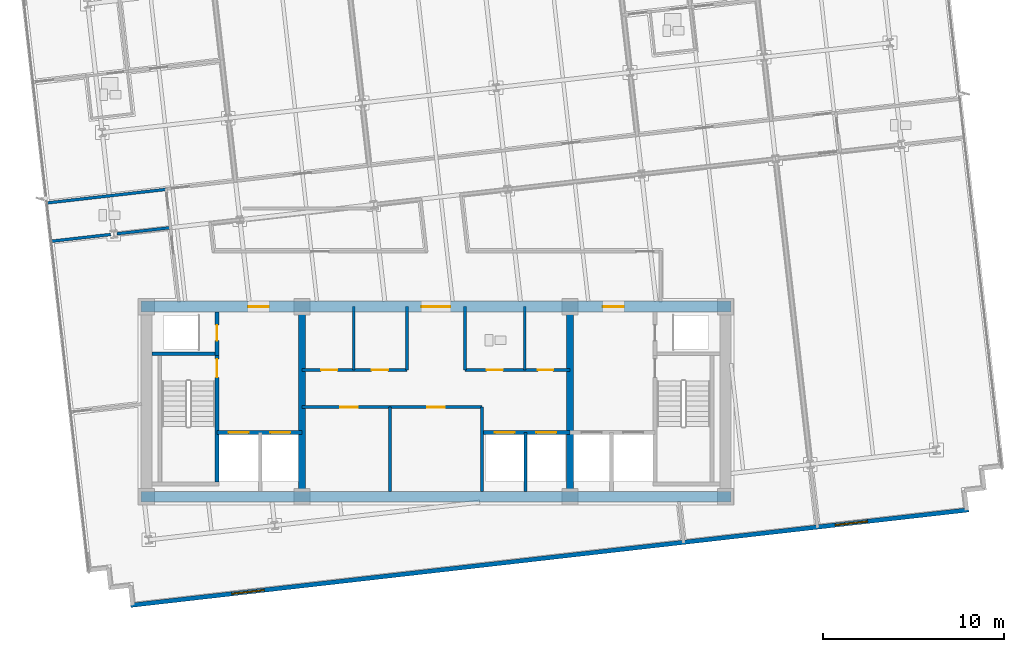
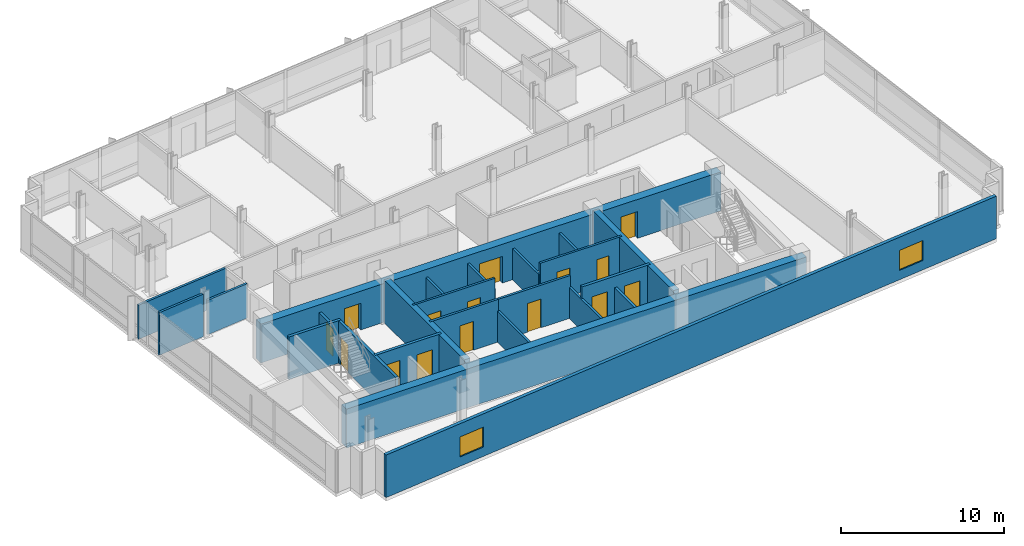
# One storey, part 8 of 15: 24 walls, 15 doors, 2 windows, 17 openings.
"""IFC4 building model written with IfcOpenShell, lengths in metres."""

from ifc_helpers import new_model, si_unit, direction, frame, frame_2d, origin, place, context, subcontext, project, spatial, rectangle, extrude, material, layer, layer_set, type_object, element, fill, save


model = new_model("IFC4")

# Units and contexts
model_context = context("Model", 3, precision=1e-05, world=origin(), true_north=direction((0.0, 1.0)))
body_context = subcontext(model_context, "Body", "Model", "MODEL_VIEW")
ifc_project = project(units=[si_unit("LENGTHUNIT", "METRE"), si_unit("AREAUNIT", "SQUARE_METRE"), si_unit("VOLUMEUNIT", "CUBIC_METRE"), si_unit("PLANEANGLEUNIT", "RADIAN"), si_unit("MASSUNIT", "GRAM", prefix="KILO")], contexts=[model_context])

# Site, building, storey
site_placement = place(None, origin())
site = spatial("IfcSite", under=ifc_project, at=site_placement, CompositionType="ELEMENT")
building_placement = place(site_placement, origin())
building = spatial("IfcBuilding", under=site, at=building_placement, Name="Solmavex Isthmus Hotel", CompositionType="ELEMENT")
storey_placement = place(building_placement, frame((0.0, 0.0, 226.199951171875)))
storey = spatial("IfcBuildingStorey", under=building, at=storey_placement, Name="L61", CompositionType="ELEMENT", Elevation=226.199951171875)

# Wall, openings, windows
ifc_material_1 = material(Name="Precast Concrete C40/50", Category="concrete")
ifc_layer_1 = layer(ifc_material_1, 0.25)
ifc_layer_set_1 = layer_set([ifc_layer_1], Name="Precast Concrete C40/50")
wall_type_1 = type_object("IfcWallType", Name="EW-TWR-250", PredefinedType="STANDARD", material=ifc_layer_set_1)
wall_1_placement = place(storey_placement, frame((-16.86962890625, -18.99951171875, 0.0), z_axis=(0.0, 0.0, 1.0), x_axis=(0.993571588328, 0.113205560228, 0.0)))
wall_1 = element("IfcWall", 1, at=wall_1_placement, inside=storey, type_object=wall_type_1, Name="Tower Rear South Facade Wall L61", PredefinedType="STANDARD", context=body_context, shape_type="SweptSolid", body=[
    extrude(rectangle(XDim=46.60009765625, YDim=0.239990234375, at=frame_2d((23.300048828125, 0.0))), origin(), (0.0, 0.0, 1.0), 3.18994140625),
])
opening_1_placement = place(wall_1_placement, frame((5.6240234375, 0.0, 0.699951171875)))
opening_1 = element("IfcOpeningElement", 2, at=opening_1_placement, cuts=wall_1, Name="Opening WN-02", PredefinedType="OPENING", context=body_context, shape_type="SweptSolid", body=[
    extrude(rectangle(XDim=1.800048828125, YDim=1.5, at=frame_2d((0.89990234375, 0.75))), frame((0.0, 0.1298828125, 0.0), z_axis=(0.0, -1.0, 0.0), x_axis=(1.0, 0.0, 0.0)), (0.0, 0.0, 1.0), 0.260009765625),
])
opening_2_placement = place(wall_1_placement, frame((39.176025390625, 0.0, 0.699951171875)))
opening_2 = element("IfcOpeningElement", 3, at=opening_2_placement, cuts=wall_1, Name="Opening WN-02", PredefinedType="OPENING", context=body_context, shape_type="SweptSolid", body=[
    extrude(rectangle(XDim=1.800048828125, YDim=1.5, at=frame_2d((0.89990234375, 0.75))), frame((0.0, 0.1298828125, 0.0), z_axis=(0.0, -1.0, 0.0), x_axis=(1.0, 0.0, 0.0)), (0.0, 0.0, 1.0), 0.260009765625),
])
ifc_material_2 = material(Name="Clear low-E laminated glass", Category="glass")
window_type = type_object("IfcWindowType", Name="WIN-TWR-1800", PartitioningType="SINGLE_PANEL", PredefinedType="WINDOW", material=ifc_material_2)
window_1_placement = place(opening_1_placement, origin())
window_1 = element("IfcWindow", 4, at=window_1_placement, inside=storey, type_object=window_type, Name="South Facade Vision Window L61-S1", OverallHeight=1.5, OverallWidth=1.800048828125, PartitioningType="SINGLE_PANEL", PredefinedType="WINDOW", context=body_context, shape_type="SweptSolid", body=[
    extrude(rectangle(XDim=1.800048828125, YDim=1.5, at=frame_2d((0.89990234375, 0.75))), frame((0.0, 0.030029296875, 0.0), z_axis=(0.0, -1.0, 0.0), x_axis=(1.0, 0.0, 0.0)), (0.0, 0.0, 1.0), 0.06005859375),
])
fill(opening_1, window_1)
window_2_placement = place(opening_2_placement, origin())
window_2 = element("IfcWindow", 5, at=window_2_placement, inside=storey, type_object=window_type, Name="South Facade Vision Window L61-S2", OverallHeight=1.5, OverallWidth=1.800048828125, PartitioningType="SINGLE_PANEL", PredefinedType="WINDOW", context=body_context, shape_type="SweptSolid", body=[
    extrude(rectangle(XDim=1.800048828125, YDim=1.5, at=frame_2d((0.89990234375, 0.75))), frame((0.0, 0.030029296875, 0.0), z_axis=(0.0, -1.0, 0.0), x_axis=(1.0, 0.0, 0.0)), (0.0, 0.0, 1.0), 0.06005859375),
])
fill(opening_2, window_2)

# Wall, opening, door
ifc_material_3 = material(Name="Gypsum plasterboard lining", Category="gypsum")
ifc_layer_2 = layer(ifc_material_3, 0.159912109375)
ifc_layer_set_2 = layer_set([ifc_layer_2], Name="Gypsum plasterboard lining")
wall_type_2 = type_object("IfcWallType", Name="IW-COMP-160", PredefinedType="PARTITIONING", material=ifc_layer_set_2)
wall_2_placement = place(storey_placement, frame((-7.39990234375, -8.050048828125, 0.0), z_axis=(0.0, 0.0, 1.0), x_axis=(1.0, 0.0, 0.0)))
wall_2 = element("IfcWall", 6, at=wall_2_placement, inside=storey, type_object=wall_type_2, Name="Interior Partition Wall W-L61-REC-PLL-N", PredefinedType="PARTITIONING", context=body_context, shape_type="SweptSolid", body=[
    extrude(rectangle(XDim=4.849853515625, YDim=0.159912109375, at=frame_2d((2.4248046875, 0.0))), origin(), (0.0, 0.0, 1.0), 3.18994140625),
])
opening_3_placement = place(wall_2_placement, frame((2.125, 0.0, 0.0)))
opening_3 = element("IfcOpeningElement", 7, at=opening_3_placement, cuts=wall_2, Name="Opening ID-C095", PredefinedType="OPENING", context=body_context, shape_type="SweptSolid", body=[
    extrude(rectangle(XDim=0.949951171875, YDim=2.14990234375, at=frame_2d((0.47509765625, 1.074951171875))), frame((0.0, 0.08984375, 0.0), z_axis=(0.0, -1.0, 0.0), x_axis=(1.0, 0.0, 0.0)), (0.0, 0.0, 1.0), 0.179931640625),
])
ifc_material_4 = material(Name="Hardwood timber", Category="wood")
door_type_1 = type_object("IfcDoorType", Name="IDR-FD60-0950", OperationType="NOTDEFINED", PredefinedType="DOOR", material=ifc_material_4)
door_1_placement = place(opening_3_placement, origin())
door_1 = element("IfcDoor", 8, at=door_1_placement, inside=storey, type_object=door_type_1, Name="Linen Reserve Door L61", OperationType="SINGLE_SWING_LEFT", OverallHeight=2.14990234375, OverallWidth=0.949951171875, PredefinedType="DOOR", context=body_context, shape_type="SweptSolid", body=[
    extrude(rectangle(XDim=0.949951171875, YDim=2.14990234375, at=frame_2d((0.47509765625, 1.074951171875))), frame((0.0, 0.02490234375, 0.0), z_axis=(0.0, -1.0, 0.0), x_axis=(1.0, 0.0, 0.0)), (0.0, 0.0, 1.0), 0.050048828125),
])
fill(opening_3, door_1)

# Wall
wall_3_placement = place(storey_placement, frame((-2.550048828125, -12.699951171875, 0.0), z_axis=(0.0, 0.0, 1.0), x_axis=(0.0, 1.0, 0.0)))
element("IfcWall", 9, at=wall_3_placement, inside=storey, type_object=wall_type_2, Name="Interior Partition Wall W-L61-REC-PLL-E", PredefinedType="PARTITIONING", context=body_context, shape_type="SweptSolid", body=[
    extrude(rectangle(XDim=4.64990234375, YDim=0.159912109375, at=frame_2d((2.324951171875, 0.0))), origin(), (0.0, 0.0, 1.0), 2.324951171875),
])

# Wall, opening, door
wall_4_placement = place(storey_placement, frame((-2.550048828125, -8.050048828125, 0.0), z_axis=(0.0, 0.0, 1.0), x_axis=(1.0, 0.0, 0.0)))
wall_4 = element("IfcWall", 10, at=wall_4_placement, inside=storey, type_object=wall_type_2, Name="Interior Partition Wall W-L61-REC-PLM-N", PredefinedType="PARTITIONING", context=body_context, shape_type="SweptSolid", body=[
    extrude(rectangle(XDim=5.10009765625, YDim=0.159912109375, at=frame_2d((2.550048828125, 0.0))), origin(), (0.0, 0.0, 1.0), 3.18994140625),
])
opening_4_placement = place(wall_4_placement, frame((2.074951171875, 0.0, 0.0)))
opening_4 = element("IfcOpeningElement", 11, at=opening_4_placement, cuts=wall_4, Name="Opening ID-C095", PredefinedType="OPENING", context=body_context, shape_type="SweptSolid", body=[
    extrude(rectangle(XDim=0.949951171875, YDim=2.14990234375, at=frame_2d((0.47509765625, 1.074951171875))), frame((0.0, 0.08984375, 0.0), z_axis=(0.0, -1.0, 0.0), x_axis=(1.0, 0.0, 0.0)), (0.0, 0.0, 1.0), 0.179931640625),
])
door_2_placement = place(opening_4_placement, origin())
door_2 = element("IfcDoor", 12, at=door_2_placement, inside=storey, type_object=door_type_1, Name="Butler Store Door L61", OperationType="SINGLE_SWING_RIGHT", OverallHeight=2.14990234375, OverallWidth=0.949951171875, PredefinedType="DOOR", context=body_context, shape_type="SweptSolid", body=[
    extrude(rectangle(XDim=0.949951171875, YDim=2.14990234375, at=frame_2d((0.47509765625, 1.074951171875))), frame((0.0, 0.02490234375, 0.0), z_axis=(0.0, -1.0, 0.0), x_axis=(1.0, 0.0, 0.0)), (0.0, 0.0, 1.0), 0.050048828125),
])
fill(opening_4, door_2)

# Walls
wall_5_placement = place(storey_placement, frame((2.550048828125, -12.699951171875, 0.0), z_axis=(0.0, 0.0, 1.0), x_axis=(0.0, 1.0, 0.0)))
element("IfcWall", 13, at=wall_5_placement, inside=storey, type_object=wall_type_2, Name="Interior Partition Wall W-L61-REC-PLM-E", PredefinedType="PARTITIONING", context=body_context, shape_type="SweptSolid", body=[
    extrude(rectangle(XDim=4.64990234375, YDim=0.159912109375, at=frame_2d((2.324951171875, 0.0))), origin(), (0.0, 0.0, 1.0), 2.324951171875),
])
wall_6_placement = place(storey_placement, frame((-14.86865234375, 3.98486328125, 0.0), z_axis=(0.0, 0.0, 1.0), x_axis=(-0.993568743641, -0.113230524415, 0.0)))
element("IfcWall", 14, at=wall_6_placement, inside=storey, type_object=wall_type_2, Name="Interior Partition Wall W-L61-P029", PredefinedType="PARTITIONING", context=body_context, shape_type="SweptSolid", body=[
    extrude(rectangle(XDim=6.7099609375, YDim=0.159912109375, at=frame_2d((3.35498046875, 0.0))), origin(), (0.0, 0.0, 1.0), 2.5576171875),
])
wall_7_placement = place(storey_placement, frame((-17.97216796875, 1.4873046875, 0.0), z_axis=(0.0, 0.0, 1.0), x_axis=(-0.993575433752, -0.113171804991, 0.0)))
element("IfcWall", 15, at=wall_7_placement, inside=storey, type_object=wall_type_2, Name="Interior Partition Wall W-L61-P053", PredefinedType="PARTITIONING", context=body_context, shape_type="SweptSolid", body=[
    extrude(rectangle(XDim=3.34375, YDim=0.159912109375, at=frame_2d((1.671875, 0.0))), origin(), (0.0, 0.0, 1.0), 3.18994140625),
])
wall_8_placement = place(storey_placement, frame((-14.62744140625, 1.868408203125, 0.0), z_axis=(0.0, 0.0, 1.0), x_axis=(-0.993574646464, -0.113178716659, 0.0)))
element("IfcWall", 16, at=wall_8_placement, inside=storey, type_object=wall_type_2, Name="Interior Partition Wall W-L61-P054", PredefinedType="PARTITIONING", context=body_context, shape_type="SweptSolid", body=[
    extrude(rectangle(XDim=3.013427734375, YDim=0.159912109375, at=frame_2d((1.5068359375, 0.0))), origin(), (0.0, 0.0, 1.0), 2.572265625),
])

# Wall, openings, doors
ifc_layer_3 = layer(ifc_material_3, 0.14990234375)
ifc_layer_set_3 = layer_set([ifc_layer_3], Name="Gypsum plasterboard lining")
wall_type_3 = type_object("IfcWallType", Name="IW-CORR-150", PredefinedType="PARTITIONING", material=ifc_layer_set_3)
wall_9_placement = place(storey_placement, frame((-7.39990234375, -6.0, 0.0), z_axis=(0.0, 0.0, 1.0), x_axis=(1.0, 0.0, 0.0)))
wall_9 = element("IfcWall", 17, at=wall_9_placement, inside=storey, type_object=wall_type_3, Name="Interior Partition Wall W-L61-BOH-WS", PredefinedType="PARTITIONING", context=body_context, shape_type="SweptSolid", body=[
    extrude(rectangle(XDim=5.7998046875, YDim=0.14990234375, at=frame_2d((2.89990234375, 0.0))), origin(), (0.0, 0.0, 1.0), 3.18994140625),
])
opening_5_placement = place(wall_9_placement, frame((1.050048828125, 0.0, 0.0)))
opening_5 = element("IfcOpeningElement", 18, at=opening_5_placement, cuts=wall_9, Name="Opening ID-C090", PredefinedType="OPENING", context=body_context, shape_type="SweptSolid", body=[
    extrude(rectangle(XDim=0.89990234375, YDim=2.10009765625, at=frame_2d((0.449951171875, 1.050048828125))), frame((0.0, 0.0849609375, 0.0), z_axis=(0.0, -1.0, 0.0), x_axis=(1.0, 0.0, 0.0)), (0.0, 0.0, 1.0), 0.169921875),
])
opening_6_placement = place(wall_9_placement, frame((3.85009765625, 0.0, 0.0)))
opening_6 = element("IfcOpeningElement", 19, at=opening_6_placement, cuts=wall_9, Name="Opening ID-C090", PredefinedType="OPENING", context=body_context, shape_type="SweptSolid", body=[
    extrude(rectangle(XDim=0.89990234375, YDim=2.10009765625, at=frame_2d((0.449951171875, 1.050048828125))), frame((0.0, 0.0849609375, 0.0), z_axis=(0.0, -1.0, 0.0), x_axis=(1.0, 0.0, 0.0)), (0.0, 0.0, 1.0), 0.169921875),
])
door_type_2 = type_object("IfcDoorType", Name="IDR-FD60-0900", OperationType="NOTDEFINED", PredefinedType="DOOR", material=ifc_material_4)
door_3_placement = place(opening_5_placement, frame((0.89990234375, 0.0, 0.0), z_axis=(0.0, 0.0, 1.0), x_axis=(-1.0, 0.0, 0.0)))
door_3 = element("IfcDoor", 20, at=door_3_placement, inside=storey, type_object=door_type_2, Name="Linen Room Door L61", OperationType="SINGLE_SWING_LEFT", OverallHeight=2.10009765625, OverallWidth=0.89990234375, PredefinedType="DOOR", context=body_context, shape_type="SweptSolid", body=[
    extrude(rectangle(XDim=0.89990234375, YDim=2.10009765625, at=frame_2d((0.449951171875, 1.050048828125))), frame((0.0, 0.02490234375, 0.0), z_axis=(0.0, -1.0, 0.0), x_axis=(1.0, 0.0, 0.0)), (0.0, 0.0, 1.0), 0.050048828125),
])
fill(opening_5, door_3)
door_4_placement = place(opening_6_placement, frame((0.89990234375, 0.0, 0.0), z_axis=(0.0, 0.0, 1.0), x_axis=(-1.0, 0.0, 0.0)))
door_4 = element("IfcDoor", 21, at=door_4_placement, inside=storey, type_object=door_type_2, Name="Ice Pantry Door L61", OperationType="SINGLE_SWING_RIGHT", OverallHeight=2.10009765625, OverallWidth=0.89990234375, PredefinedType="DOOR", context=body_context, shape_type="SweptSolid", body=[
    extrude(rectangle(XDim=0.89990234375, YDim=2.10009765625, at=frame_2d((0.449951171875, 1.050048828125))), frame((0.0, 0.02490234375, 0.0), z_axis=(0.0, -1.0, 0.0), x_axis=(1.0, 0.0, 0.0)), (0.0, 0.0, 1.0), 0.050048828125),
])
fill(opening_6, door_4)

# Wall
wall_10_placement = place(storey_placement, frame((-1.60009765625, -6.0, 0.0), z_axis=(0.0, 0.0, 1.0), x_axis=(0.0, 1.0, 0.0)))
element("IfcWall", 22, at=wall_10_placement, inside=storey, type_object=wall_type_3, Name="Interior Partition Wall W-L61-BOH-WE", PredefinedType="PARTITIONING", context=body_context, shape_type="SweptSolid", body=[
    extrude(rectangle(XDim=3.5, YDim=0.14990234375, at=frame_2d((1.75, 0.0))), origin(), (0.0, 0.0, 1.0), 2.324951171875),
])

# Wall, openings, doors
wall_11_placement = place(storey_placement, frame((1.60009765625, -6.0, 0.0), z_axis=(0.0, 0.0, 1.0), x_axis=(1.0, 0.0, 0.0)))
wall_11 = element("IfcWall", 23, at=wall_11_placement, inside=storey, type_object=wall_type_3, Name="Interior Partition Wall W-L61-BOH-ES", PredefinedType="PARTITIONING", context=body_context, shape_type="SweptSolid", body=[
    extrude(rectangle(XDim=5.7998046875, YDim=0.14990234375, at=frame_2d((2.89990234375, 0.0))), origin(), (0.0, 0.0, 1.0), 3.18994140625),
])
opening_7_placement = place(wall_11_placement, frame((1.199951171875, 0.0, 0.0)))
opening_7 = element("IfcOpeningElement", 24, at=opening_7_placement, cuts=wall_11, Name="Opening ID-C090", PredefinedType="OPENING", context=body_context, shape_type="SweptSolid", body=[
    extrude(rectangle(XDim=0.89990234375, YDim=2.10009765625, at=frame_2d((0.449951171875, 1.050048828125))), frame((0.0, 0.0849609375, 0.0), z_axis=(0.0, -1.0, 0.0), x_axis=(1.0, 0.0, 0.0)), (0.0, 0.0, 1.0), 0.169921875),
])
opening_8_placement = place(wall_11_placement, frame((4.02490234375, 0.0, 0.0)))
opening_8 = element("IfcOpeningElement", 25, at=opening_8_placement, cuts=wall_11, Name="Opening ID-R085", PredefinedType="OPENING", context=body_context, shape_type="SweptSolid", body=[
    extrude(rectangle(XDim=0.85009765625, YDim=2.050048828125, at=frame_2d((0.425048828125, 1.02490234375))), frame((0.0, 0.0849609375, 0.0), z_axis=(0.0, -1.0, 0.0), x_axis=(1.0, 0.0, 0.0)), (0.0, 0.0, 1.0), 0.169921875),
])
ifc_material_5 = material(Name="Steel ASTM A500 Grade C", Category="steel")
door_type_3 = type_object("IfcDoorType", Name="IDR-FD60-0850", OperationType="NOTDEFINED", PredefinedType="DOOR", material=ifc_material_5)
door_5_placement = place(opening_8_placement, frame((0.85009765625, 0.0, 0.0), z_axis=(0.0, 0.0, 1.0), x_axis=(-1.0, 0.0, 0.0)))
door_5 = element("IfcDoor", 26, at=door_5_placement, inside=storey, type_object=door_type_3, Name="IT Room Door L61", OperationType="SINGLE_SWING_RIGHT", OverallHeight=2.050048828125, OverallWidth=0.85009765625, PredefinedType="DOOR", context=body_context, shape_type="SweptSolid", body=[
    extrude(rectangle(XDim=0.85009765625, YDim=2.050048828125, at=frame_2d((0.425048828125, 1.02490234375))), frame((0.0, 0.02490234375, 0.0), z_axis=(0.0, -1.0, 0.0), x_axis=(1.0, 0.0, 0.0)), (0.0, 0.0, 1.0), 0.050048828125),
])
fill(opening_8, door_5)
door_6_placement = place(opening_7_placement, frame((0.89990234375, 0.0, 0.0), z_axis=(0.0, 0.0, 1.0), x_axis=(-1.0, 0.0, 0.0)))
door_6 = element("IfcDoor", 27, at=door_6_placement, inside=storey, type_object=door_type_2, Name="Staff Restroom Door L61", OperationType="SINGLE_SWING_LEFT", OverallHeight=2.10009765625, OverallWidth=0.89990234375, PredefinedType="DOOR", context=body_context, shape_type="SweptSolid", body=[
    extrude(rectangle(XDim=0.89990234375, YDim=2.10009765625, at=frame_2d((0.449951171875, 1.050048828125))), frame((0.0, 0.02490234375, 0.0), z_axis=(0.0, -1.0, 0.0), x_axis=(1.0, 0.0, 0.0)), (0.0, 0.0, 1.0), 0.050048828125),
])
fill(opening_7, door_6)

# Walls
wall_12_placement = place(storey_placement, frame((1.60009765625, -6.0, 0.0), z_axis=(0.0, 0.0, 1.0), x_axis=(0.0, 1.0, 0.0)))
element("IfcWall", 28, at=wall_12_placement, inside=storey, type_object=wall_type_3, Name="Interior Partition Wall W-L61-BOH-EW", PredefinedType="PARTITIONING", context=body_context, shape_type="SweptSolid", body=[
    extrude(rectangle(XDim=3.5, YDim=0.14990234375, at=frame_2d((1.75, 0.0))), origin(), (0.0, 0.0, 1.0), 2.324951171875),
])
ifc_layer_4 = layer(ifc_material_3, 0.1201171875)
ifc_layer_set_4 = layer_set([ifc_layer_4], Name="Gypsum plasterboard lining")
wall_type_4 = type_object("IfcWallType", Name="IW-PART-120", PredefinedType="PARTITIONING", material=ifc_layer_set_4)
for number, where, z_axis, x_axis, name in (
    (29, (-4.550048828125, -6.0, 0.0), (0.0, 0.0, 1.0), (0.0, 1.0, 0.0), "Interior Partition Wall W-L61-BOH-WM2"),
    (30, (4.89990234375, -6.0, 0.0), (0.0, 0.0, 1.0), (0.0, 1.0, 0.0), "Interior Partition Wall W-L61-BOH-EM2"),
):
    element("IfcWall", number, at=place(storey_placement, frame(where, z_axis=z_axis, x_axis=x_axis)), inside=storey, type_object=wall_type_4, Name=name, PredefinedType="PARTITIONING", context=body_context, shape_type="SweptSolid", body=[
        extrude(rectangle(XDim=3.5, YDim=0.14990234375, at=frame_2d((1.75, 0.0))), origin(), (0.0, 0.0, 1.0), 2.324951171875),
    ])
ifc_material_6 = material(Name="Concrete C40/50", Category="concrete")
ifc_layer_5 = layer(ifc_material_6, 0.179931640625)
ifc_layer_set_5 = layer_set([ifc_layer_5], Name="Concrete C40/50")
wall_type_5 = type_object("IfcWallType", Name="IW-SHAFT-180", PredefinedType="PARTITIONING", material=ifc_layer_set_5)
wall_13_placement = place(storey_placement, frame((4.949951171875, -12.699951171875, 0.0), z_axis=(0.0, 0.0, 1.0), x_axis=(0.0, 1.0, 0.0)))
element("IfcWall", 31, at=wall_13_placement, inside=storey, type_object=wall_type_5, Name="Interior Partition Wall W-L61-SH-PLH-M", PredefinedType="PARTITIONING", context=body_context, shape_type="SweptSolid", body=[
    extrude(rectangle(XDim=3.25, YDim=0.179931640625, at=frame_2d((1.625, 0.0))), origin(), (0.0, 0.0, 1.0), 2.324951171875),
])

# Wall, opening, door
ifc_layer_6 = layer(ifc_material_6, 0.199951171875)
ifc_layer_set_6 = layer_set([ifc_layer_6], Name="Concrete C40/50")
wall_type_6 = type_object("IfcWallType", Name="IW-SHAFT-200", PredefinedType="PARTITIONING", material=ifc_layer_set_6)
wall_14_placement = place(storey_placement, frame((-12.10009765625, -5.199951171875, 0.0), z_axis=(0.0, 0.0, 1.0), x_axis=(0.0, 1.0, 0.0)))
wall_14 = element("IfcWall", 32, at=wall_14_placement, inside=storey, type_object=wall_type_6, Name="Interior Partition Wall W-L61-RSW-E", PredefinedType="PARTITIONING", context=body_context, shape_type="SweptSolid", body=[
    extrude(rectangle(XDim=2.39990234375, YDim=0.199951171875, at=frame_2d((1.199951171875, 0.0))), origin(), (0.0, 0.0, 1.0), 2.324951171875),
])
opening_9_placement = place(wall_14_placement, frame((0.824951171875, 0.0, 0.0)))
opening_9 = element("IfcOpeningElement", 33, at=opening_9_placement, cuts=wall_14, Name="Opening ID-R085", PredefinedType="OPENING", context=body_context, shape_type="SweptSolid", body=[
    extrude(rectangle(XDim=0.85009765625, YDim=2.050048828125, at=frame_2d((0.425048828125, 1.02490234375))), frame((0.0, 0.10986328125, 0.0), z_axis=(0.0, -1.0, 0.0), x_axis=(1.0, 0.0, 0.0)), (0.0, 0.0, 1.0), 0.219970703125),
])
door_7_placement = place(opening_9_placement, origin())
door_7 = element("IfcDoor", 34, at=door_7_placement, inside=storey, type_object=door_type_3, Name="Electrical Riser Door L61", OperationType="SINGLE_SWING_RIGHT", OverallHeight=2.050048828125, OverallWidth=0.85009765625, PredefinedType="DOOR", context=body_context, shape_type="SweptSolid", body=[
    extrude(rectangle(XDim=0.85009765625, YDim=2.050048828125, at=frame_2d((0.425048828125, 1.02490234375))), frame((0.0, 0.02490234375, 0.0), z_axis=(0.0, -1.0, 0.0), x_axis=(1.0, 0.0, 0.0)), (0.0, 0.0, 1.0), 0.050048828125),
])
fill(opening_9, door_7)

# Wall, openings, doors
wall_15_placement = place(storey_placement, frame((-12.10009765625, -9.449951171875, 0.0), z_axis=(0.0, 0.0, 1.0), x_axis=(1.0, 0.0, 0.0)))
wall_15 = element("IfcWall", 35, at=wall_15_placement, inside=storey, type_object=wall_type_6, Name="Interior Partition Wall W-L61-FFLW-S", PredefinedType="PARTITIONING", context=body_context, shape_type="SweptSolid", body=[
    extrude(rectangle(XDim=4.7001953125, YDim=0.199951171875, at=frame_2d((2.35009765625, 0.0))), origin(), (0.0, 0.0, 1.0), 3.18994140625),
])
opening_10_placement = place(wall_15_placement, frame((0.64990234375, 0.0, 0.0)))
opening_10 = element("IfcOpeningElement", 36, at=opening_10_placement, cuts=wall_15, Name="Opening LD-FF", PredefinedType="OPENING", context=body_context, shape_type="SweptSolid", body=[
    extrude(rectangle(XDim=1.10009765625, YDim=2.199951171875, at=frame_2d((0.550048828125, 1.10009765625))), frame((0.0, 0.10986328125, 0.0), z_axis=(0.0, -1.0, 0.0), x_axis=(1.0, 0.0, 0.0)), (0.0, 0.0, 1.0), 0.219970703125),
])
opening_11_placement = place(wall_15_placement, frame((2.949951171875, 0.0, 0.0)))
opening_11 = element("IfcOpeningElement", 37, at=opening_11_placement, cuts=wall_15, Name="Opening LD-SV", PredefinedType="OPENING", context=body_context, shape_type="SweptSolid", body=[
    extrude(rectangle(XDim=1.10009765625, YDim=2.199951171875, at=frame_2d((0.550048828125, 1.10009765625))), frame((0.0, 0.10986328125, 0.0), z_axis=(0.0, -1.0, 0.0), x_axis=(1.0, 0.0, 0.0)), (0.0, 0.0, 1.0), 0.219970703125),
])
ifc_material_7 = material(Name="Stainless steel 316", Category="steel")
door_type_4 = type_object("IfcDoorType", Name="LDR-FF-1100", OperationType="NOTDEFINED", PredefinedType="DOOR", material=ifc_material_7)
door_8_placement = place(opening_10_placement, origin())
door_8 = element("IfcDoor", 38, at=door_8_placement, inside=storey, type_object=door_type_4, Name="Lift Landing Door FFL-1 L61", OperationType="SLIDING_TO_LEFT", OverallHeight=2.199951171875, OverallWidth=1.10009765625, PredefinedType="DOOR", context=body_context, shape_type="SweptSolid", body=[
    extrude(rectangle(XDim=1.10009765625, YDim=2.199951171875, at=frame_2d((0.550048828125, 1.10009765625))), frame((0.0, 0.02490234375, 0.0), z_axis=(0.0, -1.0, 0.0), x_axis=(1.0, 0.0, 0.0)), (0.0, 0.0, 1.0), 0.050048828125),
])
fill(opening_10, door_8)
door_type_5 = type_object("IfcDoorType", Name="LDR-SV-1100", OperationType="NOTDEFINED", PredefinedType="DOOR", material=ifc_material_7)
door_9_placement = place(opening_11_placement, origin())
door_9 = element("IfcDoor", 39, at=door_9_placement, inside=storey, type_object=door_type_5, Name="Lift Landing Door SVL-1 L61", OperationType="SLIDING_TO_RIGHT", OverallHeight=2.199951171875, OverallWidth=1.10009765625, PredefinedType="DOOR", context=body_context, shape_type="SweptSolid", body=[
    extrude(rectangle(XDim=1.10009765625, YDim=2.199951171875, at=frame_2d((0.550048828125, 1.10009765625))), frame((0.0, 0.02490234375, 0.0), z_axis=(0.0, -1.0, 0.0), x_axis=(1.0, 0.0, 0.0)), (0.0, 0.0, 1.0), 0.050048828125),
])
fill(opening_11, door_9)

wall_16_placement = place(storey_placement, frame((2.550048828125, -9.449951171875, 0.0), z_axis=(0.0, 0.0, 1.0), x_axis=(1.0, 0.0, 0.0)))
wall_16 = element("IfcWall", 40, at=wall_16_placement, inside=storey, type_object=wall_type_6, Name="Interior Partition Wall W-L61-SH-PLH", PredefinedType="PARTITIONING", context=body_context, shape_type="SweptSolid", body=[
    extrude(rectangle(XDim=4.849853515625, YDim=0.199951171875, at=frame_2d((2.4248046875, 0.0))), origin(), (0.0, 0.0, 1.0), 3.18994140625),
])
opening_12_placement = place(wall_16_placement, frame((0.699951171875, 0.0, 0.0)))
opening_12 = element("IfcOpeningElement", 41, at=opening_12_placement, cuts=wall_16, Name="Opening LD-PL", PredefinedType="OPENING", context=body_context, shape_type="SweptSolid", body=[
    extrude(rectangle(XDim=1.10009765625, YDim=2.199951171875, at=frame_2d((0.550048828125, 1.10009765625))), frame((0.0, 0.10986328125, 0.0), z_axis=(0.0, -1.0, 0.0), x_axis=(1.0, 0.0, 0.0)), (0.0, 0.0, 1.0), 0.219970703125),
])
opening_13_placement = place(wall_16_placement, frame((3.0, 0.0, 0.0)))
opening_13 = element("IfcOpeningElement", 42, at=opening_13_placement, cuts=wall_16, Name="Opening LD-PL", PredefinedType="OPENING", context=body_context, shape_type="SweptSolid", body=[
    extrude(rectangle(XDim=1.10009765625, YDim=2.199951171875, at=frame_2d((0.550048828125, 1.10009765625))), frame((0.0, 0.10986328125, 0.0), z_axis=(0.0, -1.0, 0.0), x_axis=(1.0, 0.0, 0.0)), (0.0, 0.0, 1.0), 0.219970703125),
])
door_type_6 = type_object("IfcDoorType", Name="LDR-PL-1100", OperationType="NOTDEFINED", PredefinedType="DOOR", material=ifc_material_7)
door_10_placement = place(opening_12_placement, origin())
door_10 = element("IfcDoor", 43, at=door_10_placement, inside=storey, type_object=door_type_6, Name="Lift Landing Door PLH1 L61", OperationType="SLIDING_TO_LEFT", OverallHeight=2.199951171875, OverallWidth=1.10009765625, PredefinedType="DOOR", context=body_context, shape_type="SweptSolid", body=[
    extrude(rectangle(XDim=1.10009765625, YDim=2.199951171875, at=frame_2d((0.550048828125, 1.10009765625))), frame((0.0, 0.02490234375, 0.0), z_axis=(0.0, -1.0, 0.0), x_axis=(1.0, 0.0, 0.0)), (0.0, 0.0, 1.0), 0.050048828125),
])
fill(opening_12, door_10)
door_11_placement = place(opening_13_placement, origin())
door_11 = element("IfcDoor", 44, at=door_11_placement, inside=storey, type_object=door_type_6, Name="Lift Landing Door PLH2 L61", OperationType="SLIDING_TO_LEFT", OverallHeight=2.199951171875, OverallWidth=1.10009765625, PredefinedType="DOOR", context=body_context, shape_type="SweptSolid", body=[
    extrude(rectangle(XDim=1.10009765625, YDim=2.199951171875, at=frame_2d((0.550048828125, 1.10009765625))), frame((0.0, 0.02490234375, 0.0), z_axis=(0.0, -1.0, 0.0), x_axis=(1.0, 0.0, 0.0)), (0.0, 0.0, 1.0), 0.050048828125),
])
fill(opening_13, door_11)

# Walls
ifc_material_8 = material(Name="Concrete C50/60", Category="concrete")
ifc_layer_7 = layer(ifc_material_8, 0.39990234375)
ifc_layer_set_7 = layer_set([ifc_layer_7], Name="Concrete C50/60")
wall_type_7 = type_object("IfcWallType", Name="WALL-CW-400H", PredefinedType="SHEAR", material=ifc_layer_set_7)
for number, where, z_axis, x_axis, name in (
    (45, (-7.39990234375, -12.699951171875, 0.0), (0.0, 0.0, 1.0), (0.0, 1.0, 0.0), "Core Cross Shear Wall C1 L61"),
    (46, (7.39990234375, -12.699951171875, 0.0), (0.0, 0.0, 1.0), (0.0, 1.0, 0.0), "Core Cross Shear Wall C2 L61"),
):
    element("IfcWall", number, at=place(storey_placement, frame(where, z_axis=z_axis, x_axis=x_axis)), inside=storey, type_object=wall_type_7, Name=name, PredefinedType="SHEAR", context=body_context, shape_type="SweptSolid", body=[
        extrude(rectangle(XDim=9.89990234375, YDim=0.39990234375, at=frame_2d((4.949951171875, 0.0))), origin(), (0.0, 0.0, 1.0), 3.18994140625),
    ])
ifc_layer_8 = layer(ifc_material_8, 0.60009765625)
ifc_layer_set_8 = layer_set([ifc_layer_8], Name="Concrete C50/60")
wall_type_8 = type_object("IfcWallType", Name="WALL-CW-600", PredefinedType="SHEAR", material=ifc_layer_set_8)
wall_17_placement = place(storey_placement, frame((-16.300048828125, -13.0, 0.0), z_axis=(0.0, 0.0, 1.0), x_axis=(1.0, 0.0, 0.0)))
element("IfcWall", 47, at=wall_17_placement, inside=storey, type_object=wall_type_8, Name="Core Shear Wall South L61", PredefinedType="SHEAR", context=body_context, shape_type="SweptSolid", body=[
    extrude(rectangle(XDim=32.60009765625, YDim=0.60009765625, at=frame_2d((16.300048828125, 0.0))), origin(), (0.0, 0.0, 1.0), 2.91015625),
])

# Wall, openings, doors
wall_18_placement = place(storey_placement, frame((-16.300048828125, -2.5, 0.0), z_axis=(0.0, 0.0, 1.0), x_axis=(1.0, 0.0, 0.0)))
wall_18 = element("IfcWall", 48, at=wall_18_placement, inside=storey, type_object=wall_type_8, Name="Core Shear Wall North L61", PredefinedType="SHEAR", context=body_context, shape_type="SweptSolid", body=[
    extrude(rectangle(XDim=32.60009765625, YDim=0.60009765625, at=frame_2d((16.300048828125, 0.0))), origin(), (0.0, 0.0, 1.0), 2.91015625),
])
opening_14_placement = place(wall_18_placement, frame((5.925048828125, 0.0, 0.0)))
opening_14 = element("IfcOpeningElement", 49, at=opening_14_placement, cuts=wall_18, Name="Opening ID-F915", PredefinedType="OPENING", context=body_context, shape_type="SweptSolid", body=[
    extrude(rectangle(XDim=1.14990234375, YDim=2.0, at=frame_2d((0.574951171875, 1.0))), frame((0.0, 0.31005859375, 0.0), z_axis=(0.0, -1.0, 0.0), x_axis=(1.0, 0.0, 0.0)), (0.0, 0.0, 1.0), 0.6201171875),
])
opening_15_placement = place(wall_18_placement, frame((15.5, 0.0, 0.0)))
opening_15 = element("IfcOpeningElement", 50, at=opening_15_placement, cuts=wall_18, Name="Opening ID-F960", PredefinedType="OPENING", context=body_context, shape_type="SweptSolid", body=[
    extrude(rectangle(XDim=1.60009765625, YDim=2.0, at=frame_2d((0.800048828125, 1.0))), frame((0.0, 0.31005859375, 0.0), z_axis=(0.0, -1.0, 0.0), x_axis=(1.0, 0.0, 0.0)), (0.0, 0.0, 1.0), 0.6201171875),
])
opening_16_placement = place(wall_18_placement, frame((25.52490234375, 0.0, 0.0)))
opening_16 = element("IfcOpeningElement", 51, at=opening_16_placement, cuts=wall_18, Name="Opening ID-F915", PredefinedType="OPENING", context=body_context, shape_type="SweptSolid", body=[
    extrude(rectangle(XDim=1.14990234375, YDim=2.0, at=frame_2d((0.574951171875, 1.0))), frame((0.0, 0.31005859375, 0.0), z_axis=(0.0, -1.0, 0.0), x_axis=(1.0, 0.0, 0.0)), (0.0, 0.0, 1.0), 0.6201171875),
])
door_type_7 = type_object("IfcDoorType", Name="IDR-FD90-1150C", OperationType="NOTDEFINED", PredefinedType="DOOR", material=ifc_material_5)
door_12_placement = place(opening_14_placement, origin())
door_12 = element("IfcDoor", 52, at=door_12_placement, inside=storey, type_object=door_type_7, Name="Firefighting Lobby West Exit Door L61", OperationType="SINGLE_SWING_LEFT", OverallHeight=2.0, OverallWidth=1.14990234375, PredefinedType="DOOR", context=body_context, shape_type="SweptSolid", body=[
    extrude(rectangle(XDim=1.14990234375, YDim=2.0, at=frame_2d((0.574951171875, 1.0))), frame((0.0, 0.02490234375, 0.0), z_axis=(0.0, -1.0, 0.0), x_axis=(1.0, 0.0, 0.0)), (0.0, 0.0, 1.0), 0.050048828125),
])
fill(opening_14, door_12)
door_13_placement = place(opening_16_placement, origin())
door_13 = element("IfcDoor", 53, at=door_13_placement, inside=storey, type_object=door_type_7, Name="Firefighting Lobby East Exit Door L61", OperationType="SINGLE_SWING_RIGHT", OverallHeight=2.0, OverallWidth=1.14990234375, PredefinedType="DOOR", context=body_context, shape_type="SweptSolid", body=[
    extrude(rectangle(XDim=1.14990234375, YDim=2.0, at=frame_2d((0.574951171875, 1.0))), frame((0.0, 0.02490234375, 0.0), z_axis=(0.0, -1.0, 0.0), x_axis=(1.0, 0.0, 0.0)), (0.0, 0.0, 1.0), 0.050048828125),
])
fill(opening_16, door_13)
door_type_8 = type_object("IfcDoorType", Name="IDR-FD90-1600C", OperationType="NOTDEFINED", PredefinedType="DOOR", material=ifc_material_5)
door_14_placement = place(opening_15_placement, origin())
door_14 = element("IfcDoor", 54, at=door_14_placement, inside=storey, type_object=door_type_8, Name="Central Lift Lobby Door L61", OperationType="DOUBLE_DOOR_SINGLE_SWING", OverallHeight=2.0, OverallWidth=1.60009765625, PredefinedType="DOOR", context=body_context, shape_type="SweptSolid", body=[
    extrude(rectangle(XDim=1.60009765625, YDim=2.0, at=frame_2d((0.800048828125, 1.0))), frame((0.0, 0.02490234375, 0.0), z_axis=(0.0, -1.0, 0.0), x_axis=(1.0, 0.0, 0.0)), (0.0, 0.0, 1.0), 0.050048828125),
])
fill(opening_15, door_14)

# Wall
ifc_layer_9 = layer(ifc_material_6, 0.199951171875)
ifc_layer_set_9 = layer_set([ifc_layer_9], Name="Concrete C40/50")
wall_type_9 = type_object("IfcWallType", Name="WALL-SW-200", PredefinedType="SOLIDWALL", material=ifc_layer_set_9)
wall_19_placement = place(storey_placement, frame((-15.699951171875, -5.10009765625, 0.0), z_axis=(0.0, 0.0, 1.0), x_axis=(1.0, 0.0, 0.0)))
element("IfcWall", 55, at=wall_19_placement, inside=storey, type_object=wall_type_9, Name="Stairwell Structural Wall SW-L61-ST1-N", PredefinedType="SOLIDWALL", context=body_context, shape_type="SweptSolid", body=[
    extrude(rectangle(XDim=3.699951171875, YDim=0.199951171875, at=frame_2d((1.85009765625, 0.0))), origin(), (0.0, 0.0, 1.0), 3.18994140625),
])

# Wall, opening, door
wall_20_placement = place(storey_placement, frame((-12.10009765625, -12.199951171875, 0.0), z_axis=(0.0, 0.0, 1.0), x_axis=(0.0, 1.0, 0.0)))
wall_20 = element("IfcWall", 56, at=wall_20_placement, inside=storey, type_object=wall_type_9, Name="Stairwell Structural Wall SW-L61-ST1-E", PredefinedType="SOLIDWALL", context=body_context, shape_type="SweptSolid", body=[
    extrude(rectangle(XDim=7.0, YDim=0.199951171875, at=frame_2d((3.5, 0.0))), origin(), (0.0, 0.0, 1.0), 3.18994140625),
])
opening_17_placement = place(wall_20_placement, frame((5.800048828125, 0.0, 0.0)))
opening_17 = element("IfcOpeningElement", 57, at=opening_17_placement, cuts=wall_20, Name="Opening ID-F100", PredefinedType="OPENING", context=body_context, shape_type="SweptSolid", body=[
    extrude(rectangle(XDim=1.0, YDim=2.10009765625, at=frame_2d((0.5, 1.050048828125))), frame((0.0, 0.10986328125, 0.0), z_axis=(0.0, -1.0, 0.0), x_axis=(1.0, 0.0, 0.0)), (0.0, 0.0, 1.0), 0.219970703125),
])
door_type_9 = type_object("IfcDoorType", Name="IDR-FD90-1000", OperationType="NOTDEFINED", PredefinedType="DOOR", material=ifc_material_5)
door_15_placement = place(opening_17_placement, frame((1.0, 0.0, 0.0), z_axis=(0.0, 0.0, 1.0), x_axis=(-1.0, 0.0, 0.0)))
door_15 = element("IfcDoor", 58, at=door_15_placement, inside=storey, type_object=door_type_9, Name="Stair ST-1 Fire Door L61", OperationType="SINGLE_SWING_LEFT", OverallHeight=2.10009765625, OverallWidth=1.0, PredefinedType="DOOR", context=body_context, shape_type="SweptSolid", body=[
    extrude(rectangle(XDim=1.0, YDim=2.10009765625, at=frame_2d((0.5, 1.050048828125))), frame((0.0, 0.02490234375, 0.0), z_axis=(0.0, -1.0, 0.0), x_axis=(1.0, 0.0, 0.0)), (0.0, 0.0, 1.0), 0.050048828125),
])
fill(opening_17, door_15)

save(model, "model.ifc")
